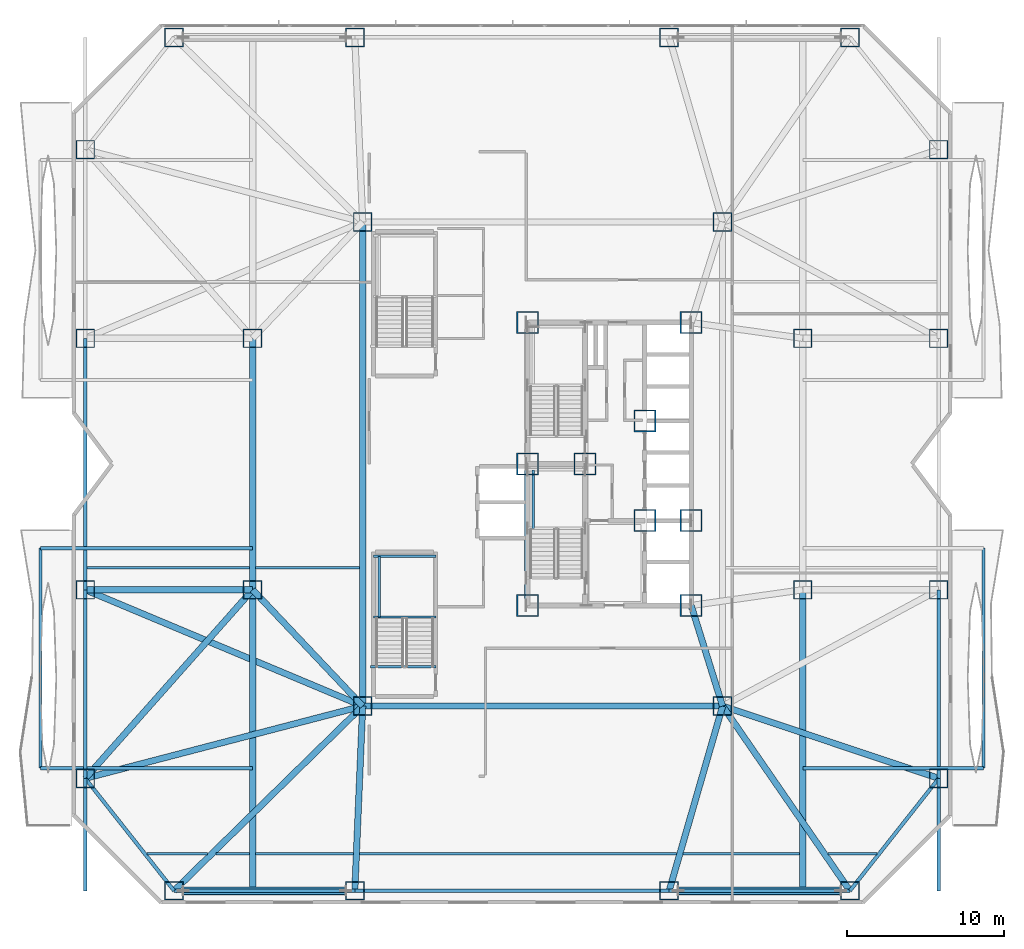
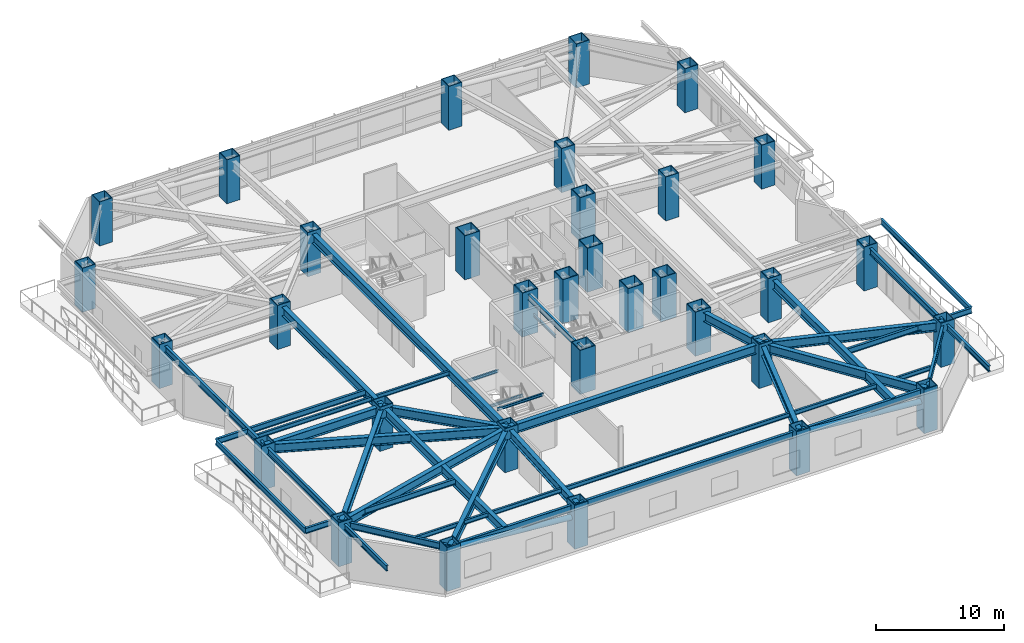
# One storey, part 1 of 25: 45 beams, 33 columns, 2 members.
"""IFC4 building model written with IfcOpenShell, lengths in metres."""

from ifc_helpers import new_model, si_unit, direction, frame, origin, origin_2d, place, context, subcontext, project, spatial, hollow_rectangle, hollow_circle, i_section, extrude, material, material_profile, profile_set, type_object, element, save


model = new_model("IFC4")

# Units and contexts
model_context = context("Model", 3, precision=1e-05, world=origin(), true_north=direction((0.0, 1.0)))
body_context = subcontext(model_context, "Body", "Model", "MODEL_VIEW")
ifc_project = project(units=[si_unit("LENGTHUNIT", "METRE"), si_unit("AREAUNIT", "SQUARE_METRE"), si_unit("VOLUMEUNIT", "CUBIC_METRE"), si_unit("PLANEANGLEUNIT", "RADIAN"), si_unit("MASSUNIT", "GRAM", prefix="KILO")], contexts=[model_context])

# Site, building, storey
site_placement = place(None, origin())
site = spatial("IfcSite", under=ifc_project, at=site_placement, CompositionType="ELEMENT")
building_placement = place(site_placement, origin())
building = spatial("IfcBuilding", under=site, at=building_placement, Name="Khamvora Tower", CompositionType="ELEMENT")
storey_placement = place(building_placement, frame((0.0, 0.0, 24.60009765625)))
storey = spatial("IfcBuildingStorey", under=building, at=storey_placement, Name="L05", CompositionType="ELEMENT", Elevation=24.60009765625)

# Columns
ifc_material_1 = material(Name="Steel S460", Category="steel")
ifc_material_profile_1 = material_profile(ifc_material_1, hollow_rectangle(XDim=1.199951171875, YDim=1.199951171875, WallThickness=0.06005859375, at=origin_2d()), Name="BOX1200x1200x60")
ifc_profile_set_1 = profile_set([ifc_material_profile_1], Name="Steel S460")
column_type_1 = type_object("IfcColumnType", Name="COL-BOX1200", PredefinedType="COLUMN", material=ifc_profile_set_1)
for number, where, z_axis, x_axis, name in (
    (1, (6.5, 0.85009765625, 0.0), (0.0, 0.0, 1.0), (1.0, 0.0, 0.0), "L05 structural frame column P01"),
    (2, (18.0, 0.85009765625, 0.0), (0.0, 0.0, 1.0), (1.0, 0.0, 0.0), "L05 structural frame column P02"),
    (3, (38.0, 0.85009765625, 0.0), (0.0, 0.0, 1.0), (1.0, 0.0, 0.0), "L05 structural frame column P03"),
    (4, (49.5, 0.85009765625, 0.0), (0.0, 0.0, 1.0), (1.0, 0.0, 0.0), "L05 structural frame column P04"),
    (5, (6.5, 55.14990234375, 0.0), (0.0, 0.0, 1.0), (1.0, 0.0, 0.0), "L05 structural frame column P05"),
    (6, (18.0, 55.14990234375, 0.0), (0.0, 0.0, 1.0), (1.0, 0.0, 0.0), "L05 structural frame column P06"),
    (7, (38.0, 55.14990234375, 0.0), (0.0, 0.0, 1.0), (1.0, 0.0, 0.0), "L05 structural frame column P07"),
    (8, (49.5, 55.14990234375, 0.0), (0.0, 0.0, 1.0), (1.0, 0.0, 0.0), "L05 structural frame column P08"),
    (9, (0.85009765625, 8.0, 0.0), (0.0, 0.0, 1.0), (1.0, 0.0, 0.0), "L05 structural frame column P09"),
    (10, (0.85009765625, 20.0, 0.0), (0.0, 0.0, 1.0), (1.0, 0.0, 0.0), "L05 structural frame column P10"),
    (11, (0.85009765625, 36.0, 0.0), (0.0, 0.0, 1.0), (1.0, 0.0, 0.0), "L05 structural frame column P11"),
    (12, (0.85009765625, 48.0, 0.0), (0.0, 0.0, 1.0), (1.0, 0.0, 0.0), "L05 structural frame column P12"),
    (13, (55.14990234375, 8.0, 0.0), (0.0, 0.0, 1.0), (1.0, 0.0, 0.0), "L05 structural frame column P13"),
    (14, (55.14990234375, 20.0, 0.0), (0.0, 0.0, 1.0), (1.0, 0.0, 0.0), "L05 structural frame column P14"),
    (15, (55.14990234375, 36.0, 0.0), (0.0, 0.0, 1.0), (1.0, 0.0, 0.0), "L05 structural frame column P15"),
    (16, (55.14990234375, 48.0, 0.0), (0.0, 0.0, 1.0), (1.0, 0.0, 0.0), "L05 structural frame column P16"),
    (17, (18.5, 12.60009765625, 0.0), (0.0, 0.0, 1.0), (1.0, 0.0, 0.0), "L05 structural frame column P17"),
    (18, (41.39990234375, 12.60009765625, 0.0), (0.0, 0.0, 1.0), (1.0, 0.0, 0.0), "L05 structural frame column P18"),
    (19, (18.5, 43.39990234375, 0.0), (0.0, 0.0, 1.0), (1.0, 0.0, 0.0), "L05 structural frame column P19"),
    (20, (41.39990234375, 43.39990234375, 0.0), (0.0, 0.0, 1.0), (1.0, 0.0, 0.0), "L05 structural frame column P20"),
    (21, (11.5, 20.0, 0.0), (0.0, 0.0, 1.0), (1.0, 0.0, 0.0), "L05 structural frame column P21"),
    (22, (11.5, 36.0, 0.0), (0.0, 0.0, 1.0), (1.0, 0.0, 0.0), "L05 structural frame column P22"),
    (23, (46.5, 20.0, 0.0), (0.0, 0.0, 1.0), (1.0, 0.0, 0.0), "L05 structural frame column P23"),
    (24, (46.5, 36.0, 0.0), (0.0, 0.0, 1.0), (1.0, 0.0, 0.0), "L05 structural frame column P24"),
):
    element("IfcColumn", number, at=place(storey_placement, frame(where, z_axis=z_axis, x_axis=x_axis)), inside=storey, type_object=column_type_1, Name=name, PredefinedType="COLUMN", context=body_context, shape_type="SweptSolid", body=[
        extrude(hollow_rectangle(XDim=1.199951171875, YDim=1.199951171875, WallThickness=0.06005859375, at=origin_2d()), origin(), (0.0, 0.0, 1.0), 4.199951171875),
    ])
ifc_material_profile_2 = material_profile(ifc_material_1, hollow_rectangle(XDim=1.39990234375, YDim=1.39990234375, WallThickness=0.070068359375, at=origin_2d()), Name="BOX1400x1400x70")
ifc_profile_set_2 = profile_set([ifc_material_profile_2], Name="Steel S460")
column_type_2 = type_object("IfcColumnType", Name="COL-BOX1400", PredefinedType="COLUMN", material=ifc_profile_set_2)
for number, where, z_axis, x_axis, name in (
    (25, (29.0, 19.0, 0.0), (0.0, 0.0, 1.0), (1.0, 0.0, 0.0), "L05 plumb core spine column SC1"),
    (26, (32.64990234375, 28.0, 0.0), (0.0, 0.0, 1.0), (1.0, 0.0, 0.0), "L05 plumb core spine column SC2"),
    (27, (39.39990234375, 19.0, 0.0), (0.0, 0.0, 1.0), (1.0, 0.0, 0.0), "L05 plumb core spine column SC3"),
    (28, (29.0, 28.0, 0.0), (0.0, 0.0, 1.0), (1.0, 0.0, 0.0), "L05 plumb core spine column SC4"),
    (29, (36.449951171875, 24.39990234375, 0.0), (0.0, 0.0, 1.0), (1.0, 0.0, 0.0), "L05 plumb core spine column SC5"),
    (30, (39.39990234375, 24.39990234375, 0.0), (0.0, 0.0, 1.0), (1.0, 0.0, 0.0), "L05 plumb core spine column SC6"),
    (31, (29.0, 37.0, 0.0), (0.0, 0.0, 1.0), (1.0, 0.0, 0.0), "L05 plumb core spine column SC7"),
    (32, (36.449951171875, 30.75, 0.0), (0.0, 0.0, 1.0), (1.0, 0.0, 0.0), "L05 plumb core spine column SC8"),
    (33, (39.39990234375, 37.0, 0.0), (0.0, 0.0, 1.0), (1.0, 0.0, 0.0), "L05 plumb core spine column SC9"),
):
    element("IfcColumn", number, at=place(storey_placement, frame(where, z_axis=z_axis, x_axis=x_axis)), inside=storey, type_object=column_type_2, Name=name, PredefinedType="COLUMN", context=body_context, shape_type="SweptSolid", body=[
        extrude(hollow_rectangle(XDim=1.39990234375, YDim=1.39990234375, WallThickness=0.070068359375, at=origin_2d()), origin(), (0.0, 0.0, 1.0), 4.199951171875),
    ])

# Beams
ifc_material_2 = material(Name="Steel S355", Category="steel")
ifc_material_profile_3 = material_profile(ifc_material_2, i_section(OverallWidth=0.177978515625, OverallDepth=0.406982421875, WebThickness=0.008056640625, FlangeThickness=0.012939453125, FilletRadius=0.010009765625, at=origin_2d()), Name="W410x60")
ifc_profile_set_3 = profile_set([ifc_material_profile_3], Name="Steel S355")
beam_type_1 = type_object("IfcBeamType", Name="BM-JS-W410x60", PredefinedType="JOIST", material=ifc_profile_set_3)
beam_1_placement = place(storey_placement, frame((4.784912109375, 3.199951171875, 3.716796875), z_axis=(1.0, 0.0, 0.0), x_axis=(0.0, 1.0, 0.0)))
element("IfcBeam", 34, at=beam_1_placement, inside=storey, type_object=beam_type_1, Name="L05 secondary floor joist 01", PredefinedType="JOIST", context=body_context, shape_type="SweptSolid", body=[
    extrude(i_section(OverallWidth=0.177978515625, OverallDepth=0.406982421875, WebThickness=0.008056640625, FlangeThickness=0.012939453125, FilletRadius=0.010009765625, at=origin_2d()), origin(), (0.0, 0.0, 1.0), 3.833984375),
])
beam_2_placement = place(storey_placement, frame((9.180908203125, 3.199951171875, 3.716796875), z_axis=(1.0, 0.0, 0.0), x_axis=(0.0, 1.0, 0.0)))
element("IfcBeam", 35, at=beam_2_placement, inside=storey, type_object=beam_type_1, Name="L05 secondary floor joist 02", PredefinedType="JOIST", context=body_context, shape_type="SweptSolid", body=[
    extrude(i_section(OverallWidth=0.177978515625, OverallDepth=0.406982421875, WebThickness=0.008056640625, FlangeThickness=0.012939453125, FilletRadius=0.010009765625, at=origin_2d()), origin(), (0.0, 0.0, 1.0), 2.1240234375),
])
beam_3_placement = place(storey_placement, frame((11.695068359375, 3.199951171875, 3.716796875), z_axis=(1.0, 0.0, 0.0), x_axis=(0.0, 1.0, 0.0)))
element("IfcBeam", 36, at=beam_3_placement, inside=storey, type_object=beam_type_1, Name="L05 secondary floor joist 03", PredefinedType="JOIST", context=body_context, shape_type="SweptSolid", body=[
    extrude(i_section(OverallWidth=0.177978515625, OverallDepth=0.406982421875, WebThickness=0.008056640625, FlangeThickness=0.012939453125, FilletRadius=0.010009765625, at=origin_2d()), origin(), (0.0, 0.0, 1.0), 6.2099609375),
])
beam_4_placement = place(storey_placement, frame((18.294921875, 3.199951171875, 3.716796875), z_axis=(1.0, 0.0, 0.0), x_axis=(0.0, 1.0, 0.0)))
element("IfcBeam", 37, at=beam_4_placement, inside=storey, type_object=beam_type_1, Name="L05 secondary floor joist 04", PredefinedType="JOIST", context=body_context, shape_type="SweptSolid", body=[
    extrude(i_section(OverallWidth=0.177978515625, OverallDepth=0.406982421875, WebThickness=0.008056640625, FlangeThickness=0.012939453125, FilletRadius=0.010009765625, at=origin_2d()), origin(), (0.0, 0.0, 1.0), 20.18212890625),
])
beam_5_placement = place(storey_placement, frame((38.883056640625, 3.199951171875, 3.716796875), z_axis=(1.0, 0.0, 0.0), x_axis=(0.0, 1.0, 0.0)))
element("IfcBeam", 38, at=beam_5_placement, inside=storey, type_object=beam_type_1, Name="L05 secondary floor joist 05", PredefinedType="JOIST", context=body_context, shape_type="SweptSolid", body=[
    extrude(i_section(OverallWidth=0.177978515625, OverallDepth=0.406982421875, WebThickness=0.008056640625, FlangeThickness=0.012939453125, FilletRadius=0.010009765625, at=origin_2d()), origin(), (0.0, 0.0, 1.0), 7.421875),
])
beam_6_placement = place(storey_placement, frame((48.117919921875, 3.199951171875, 3.716796875), z_axis=(1.0, 0.0, 0.0), x_axis=(0.0, 1.0, 0.0)))
element("IfcBeam", 39, at=beam_6_placement, inside=storey, type_object=beam_type_1, Name="L05 secondary floor joist 06", PredefinedType="JOIST", context=body_context, shape_type="SweptSolid", body=[
    extrude(i_section(OverallWidth=0.177978515625, OverallDepth=0.406982421875, WebThickness=0.008056640625, FlangeThickness=0.012939453125, FilletRadius=0.010009765625, at=origin_2d()), origin(), (0.0, 0.0, 1.0), 3.09716796875),
])
beam_7_placement = place(storey_placement, frame((0.9599609375, 21.39990234375, 3.716796875), z_axis=(1.0, 0.0, 0.0), x_axis=(0.0, 1.0, 0.0)))
element("IfcBeam", 40, at=beam_7_placement, inside=storey, type_object=beam_type_1, Name="L05 secondary floor joist 07", PredefinedType="JOIST", context=body_context, shape_type="SweptSolid", body=[
    extrude(i_section(OverallWidth=0.177978515625, OverallDepth=0.406982421875, WebThickness=0.008056640625, FlangeThickness=0.012939453125, FilletRadius=0.010009765625, at=origin_2d()), origin(), (0.0, 0.0, 1.0), 10.344970703125),
])
beam_8_placement = place(storey_placement, frame((11.695068359375, 21.39990234375, 3.716796875), z_axis=(1.0, 0.0, 0.0), x_axis=(0.0, 1.0, 0.0)))
element("IfcBeam", 41, at=beam_8_placement, inside=storey, type_object=beam_type_1, Name="L05 secondary floor joist 08", PredefinedType="JOIST", context=body_context, shape_type="SweptSolid", body=[
    extrude(i_section(OverallWidth=0.177978515625, OverallDepth=0.406982421875, WebThickness=0.008056640625, FlangeThickness=0.012939453125, FilletRadius=0.010009765625, at=origin_2d()), origin(), (0.0, 0.0, 1.0), 6.60986328125),
])
ifc_material_profile_4 = material_profile(ifc_material_2, i_section(OverallWidth=0.14697265625, OverallDepth=0.261962890625, WebThickness=0.007080078125, FlangeThickness=0.010986328125, FilletRadius=0.008056640625, at=origin_2d()), Name="W250x39")
ifc_profile_set_4 = profile_set([ifc_material_profile_4], Name="Steel S355")
beam_type_2 = type_object("IfcBeamType", Name="BM-LN-W250x39", PredefinedType="LINTEL", material=ifc_profile_set_4)
beam_9_placement = place(storey_placement, frame((29.35009765625, 23.9150390625, 1.768798828125), z_axis=(0.0, 1.0, 0.0), x_axis=(-1.0, 0.0, 0.0)))
element("IfcBeam", 42, at=beam_9_placement, inside=storey, type_object=beam_type_2, Name="L05 ST-01 half-landing edge stringer 1", PredefinedType="LINTEL", context=body_context, shape_type="SweptSolid", body=[
    extrude(i_section(OverallWidth=0.14697265625, OverallDepth=0.261962890625, WebThickness=0.007080078125, FlangeThickness=0.010986328125, FilletRadius=0.008056640625, at=origin_2d()), origin(), (0.0, 0.0, 1.0), 3.71484375),
])
for number, where, z_axis, x_axis, name in (
    (43, (19.199951171875, 18.264892578125, 1.768798828125), (1.0, 0.0, 0.0), (0.0, 1.0, 0.0), "L05 ST-03 half-landing support beam 1.1"),
    (44, (19.199951171875, 22.1298828125, 1.768798828125), (1.0, 0.0, 0.0), (0.0, 1.0, 0.0), "L05 ST-03 half-landing support beam 1.2"),
):
    element("IfcBeam", number, at=place(storey_placement, frame(where, z_axis=z_axis, x_axis=x_axis)), inside=storey, type_object=beam_type_2, Name=name, PredefinedType="LINTEL", context=body_context, shape_type="SweptSolid", body=[
        extrude(i_section(OverallWidth=0.14697265625, OverallDepth=0.261962890625, WebThickness=0.007080078125, FlangeThickness=0.010986328125, FilletRadius=0.008056640625, at=origin_2d()), origin(), (0.0, 0.0, 1.0), 3.949951171875),
    ])
beam_10_placement = place(storey_placement, frame((19.550048828125, 18.264892578125, 1.768798828125), z_axis=(0.0, 1.0, 0.0), x_axis=(-1.0, 0.0, 0.0)))
element("IfcBeam", 45, at=beam_10_placement, inside=storey, type_object=beam_type_2, Name="L05 ST-03 half-landing edge stringer 1", PredefinedType="LINTEL", context=body_context, shape_type="SweptSolid", body=[
    extrude(i_section(OverallWidth=0.14697265625, OverallDepth=0.261962890625, WebThickness=0.007080078125, FlangeThickness=0.010986328125, FilletRadius=0.008056640625, at=origin_2d()), origin(), (0.0, 0.0, 1.0), 3.864990234375),
])
beam_11_placement = place(storey_placement, frame((19.0, 15.10009765625, 3.7939453125), z_axis=(1.0, 0.0, 0.0), x_axis=(0.0, 1.0, 0.0)))
element("IfcBeam", 46, at=beam_11_placement, inside=storey, type_object=beam_type_2, Name="L05 podium stair ST03 landing trimmer beam", PredefinedType="LINTEL", context=body_context, shape_type="SweptSolid", body=[
    extrude(i_section(OverallWidth=0.14697265625, OverallDepth=0.261962890625, WebThickness=0.007080078125, FlangeThickness=0.010986328125, FilletRadius=0.008056640625, at=origin_2d()), origin(), (0.0, 0.0, 1.0), 4.14990234375),
])
ifc_material_profile_5 = material_profile(ifc_material_2, i_section(OverallWidth=0.39990234375, OverallDepth=0.85498046875, WebThickness=0.01806640625, FlangeThickness=0.029052734375, FilletRadius=0.01806640625, at=origin_2d()), Name="W840x299")
ifc_profile_set_5 = profile_set([ifc_material_profile_5], Name="Steel S355")
beam_type_3 = type_object("IfcBeamType", Name="BM-PG-W840x299", PredefinedType="BEAM", material=ifc_profile_set_5)
beam_12_placement = place(storey_placement, frame((18.5, 12.60009765625, 3.492919921875), z_axis=(0.0, 1.0, 0.0), x_axis=(-1.0, 0.0, 0.0)))
element("IfcBeam", 47, at=beam_12_placement, inside=storey, type_object=beam_type_3, Name="L05 longitudinal frame girder P17-P19", PredefinedType="BEAM", context=body_context, shape_type="SweptSolid", body=[
    extrude(i_section(OverallWidth=0.39990234375, OverallDepth=0.85498046875, WebThickness=0.01806640625, FlangeThickness=0.029052734375, FilletRadius=0.01806640625, at=origin_2d()), origin(), (0.0, 0.0, 1.0), 30.7998046875),
])
beam_13_placement = place(storey_placement, frame((18.5, 12.60009765625, 3.492919921875), z_axis=(1.0, 0.0, 0.0), x_axis=(0.0, 1.0, 0.0)))
element("IfcBeam", 48, at=beam_13_placement, inside=storey, type_object=beam_type_3, Name="L05 longitudinal frame girder P17-P18", PredefinedType="BEAM", context=body_context, shape_type="SweptSolid", body=[
    extrude(i_section(OverallWidth=0.39990234375, OverallDepth=0.85498046875, WebThickness=0.01806640625, FlangeThickness=0.029052734375, FilletRadius=0.01806640625, at=origin_2d()), origin(), (0.0, 0.0, 1.0), 22.89990234375),
])
beam_14_placement = place(storey_placement, frame((11.5, 20.0, 3.492919921875), z_axis=(0.0, 1.0, 0.0), x_axis=(-1.0, 0.0, 0.0)))
element("IfcBeam", 49, at=beam_14_placement, inside=storey, type_object=beam_type_3, Name="L05 longitudinal frame girder P21-P22", PredefinedType="BEAM", context=body_context, shape_type="SweptSolid", body=[
    extrude(i_section(OverallWidth=0.39990234375, OverallDepth=0.85498046875, WebThickness=0.01806640625, FlangeThickness=0.029052734375, FilletRadius=0.01806640625, at=origin_2d()), origin(), (0.0, 0.0, 1.0), 16.0),
])
beam_15_placement = place(storey_placement, frame((18.5, 12.60009765625, 3.492919921875), z_axis=(-0.714510426493, -0.699624792608, 0.0), x_axis=(0.699624792608, -0.714510426493, 0.0)))
element("IfcBeam", 50, at=beam_15_placement, inside=storey, type_object=beam_type_3, Name="L05 primary floor girder P01", PredefinedType="BEAM", context=body_context, shape_type="SweptSolid", body=[
    extrude(i_section(OverallWidth=0.39990234375, OverallDepth=0.85498046875, WebThickness=0.01806640625, FlangeThickness=0.029052734375, FilletRadius=0.01806640625, at=origin_2d()), origin(), (0.0, 0.0, 1.0), 16.794677734375),
])
beam_16_placement = place(storey_placement, frame((18.5, 12.60009765625, 3.492919921875), z_axis=(-0.042514716625, -0.999095840683, 0.0), x_axis=(0.999095840683, -0.042514716625, 0.0)))
element("IfcBeam", 51, at=beam_16_placement, inside=storey, type_object=beam_type_3, Name="L05 primary floor girder P02", PredefinedType="BEAM", context=body_context, shape_type="SweptSolid", body=[
    extrude(i_section(OverallWidth=0.39990234375, OverallDepth=0.85498046875, WebThickness=0.01806640625, FlangeThickness=0.029052734375, FilletRadius=0.01806640625, at=origin_2d()), origin(), (0.0, 0.0, 1.0), 11.7607421875),
])
beam_17_placement = place(storey_placement, frame((41.39990234375, 12.60009765625, 3.492919921875), z_axis=(-0.277951455854, -0.960595121885, 0.0), x_axis=(0.960595121885, -0.277951455854, 0.0)))
element("IfcBeam", 52, at=beam_17_placement, inside=storey, type_object=beam_type_3, Name="L05 primary floor girder P03", PredefinedType="BEAM", context=body_context, shape_type="SweptSolid", body=[
    extrude(i_section(OverallWidth=0.39990234375, OverallDepth=0.85498046875, WebThickness=0.01806640625, FlangeThickness=0.029052734375, FilletRadius=0.01806640625, at=origin_2d()), origin(), (0.0, 0.0, 1.0), 12.23193359375),
])
beam_18_placement = place(storey_placement, frame((41.39990234375, 12.60009765625, 3.492919921875), z_axis=(0.567573841069, -0.823322497527, 0.0), x_axis=(0.823322497527, 0.567573841069, 0.0)))
element("IfcBeam", 53, at=beam_18_placement, inside=storey, type_object=beam_type_3, Name="L05 primary floor girder P04", PredefinedType="BEAM", context=body_context, shape_type="SweptSolid", body=[
    extrude(i_section(OverallWidth=0.39990234375, OverallDepth=0.85498046875, WebThickness=0.01806640625, FlangeThickness=0.029052734375, FilletRadius=0.01806640625, at=origin_2d()), origin(), (0.0, 0.0, 1.0), 14.271484375),
])
beam_19_placement = place(storey_placement, frame((11.5, 20.0, 3.492919921875), z_axis=(-0.6637799472, -0.747927925468, 0.0), x_axis=(0.747927925468, -0.6637799472, 0.0)))
element("IfcBeam", 54, at=beam_19_placement, inside=storey, type_object=beam_type_3, Name="L05 primary floor girder P09", PredefinedType="BEAM", context=body_context, shape_type="SweptSolid", body=[
    extrude(i_section(OverallWidth=0.39990234375, OverallDepth=0.85498046875, WebThickness=0.01806640625, FlangeThickness=0.029052734375, FilletRadius=0.01806640625, at=origin_2d()), origin(), (0.0, 0.0, 1.0), 16.04443359375),
])
beam_20_placement = place(storey_placement, frame((11.5, 20.0, 3.492919921875), z_axis=(-1.0, 0.0, 0.0), x_axis=(0.0, -1.0, 0.0)))
element("IfcBeam", 55, at=beam_20_placement, inside=storey, type_object=beam_type_3, Name="L05 primary floor girder P10", PredefinedType="BEAM", context=body_context, shape_type="SweptSolid", body=[
    extrude(i_section(OverallWidth=0.39990234375, OverallDepth=0.85498046875, WebThickness=0.01806640625, FlangeThickness=0.029052734375, FilletRadius=0.01806640625, at=origin_2d()), origin(), (0.0, 0.0, 1.0), 10.64990234375),
])
beam_21_placement = place(storey_placement, frame((41.39990234375, 12.60009765625, 3.492919921875), z_axis=(0.948335857324, -0.31726818579, 0.0), x_axis=(0.31726818579, 0.948335857324, 0.0)))
element("IfcBeam", 56, at=beam_21_placement, inside=storey, type_object=beam_type_3, Name="L05 primary floor girder P13", PredefinedType="BEAM", context=body_context, shape_type="SweptSolid", body=[
    extrude(i_section(OverallWidth=0.39990234375, OverallDepth=0.85498046875, WebThickness=0.01806640625, FlangeThickness=0.029052734375, FilletRadius=0.01806640625, at=origin_2d()), origin(), (0.0, 0.0, 1.0), 14.4990234375),
])
beam_22_placement = place(storey_placement, frame((39.39990234375, 19.0, 3.492919921875), z_axis=(0.298279139585, -0.95447868226, 0.0), x_axis=(0.95447868226, 0.298279139585, 0.0)))
element("IfcBeam", 57, at=beam_22_placement, inside=storey, type_object=beam_type_3, Name="L05 primary floor girder P18", PredefinedType="BEAM", context=body_context, shape_type="SweptSolid", body=[
    extrude(i_section(OverallWidth=0.39990234375, OverallDepth=0.85498046875, WebThickness=0.01806640625, FlangeThickness=0.029052734375, FilletRadius=0.01806640625, at=origin_2d()), origin(), (0.0, 0.0, 1.0), 6.705078125),
])
beam_23_placement = place(storey_placement, frame((18.5, 12.60009765625, 3.492919921875), z_axis=(-0.687204640029, 0.726463889483, 0.0), x_axis=(-0.726463889483, -0.687204640029, 0.0)))
element("IfcBeam", 58, at=beam_23_placement, inside=storey, type_object=beam_type_3, Name="L05 primary floor girder P21", PredefinedType="BEAM", context=body_context, shape_type="SweptSolid", body=[
    extrude(i_section(OverallWidth=0.39990234375, OverallDepth=0.85498046875, WebThickness=0.01806640625, FlangeThickness=0.029052734375, FilletRadius=0.01806640625, at=origin_2d()), origin(), (0.0, 0.0, 1.0), 10.186279296875),
])
beam_24_placement = place(storey_placement, frame((46.5, 0.85009765625, 3.492919921875), z_axis=(0.0, 1.0, 0.0), x_axis=(-1.0, 0.0, 0.0)))
element("IfcBeam", 59, at=beam_24_placement, inside=storey, type_object=beam_type_3, Name="L05 gallery collector girder E.1", PredefinedType="BEAM", context=body_context, shape_type="SweptSolid", body=[
    extrude(i_section(OverallWidth=0.39990234375, OverallDepth=0.85498046875, WebThickness=0.01806640625, FlangeThickness=0.029052734375, FilletRadius=0.01806640625, at=origin_2d()), origin(), (0.0, 0.0, 1.0), 19.14990234375),
])
beam_25_placement = place(storey_placement, frame((0.85009765625, 8.0, 3.492919921875), z_axis=(0.967673821538, 0.252205025942, 0.0), x_axis=(-0.252205025942, 0.967673821538, 0.0)))
element("IfcBeam", 60, at=beam_25_placement, inside=storey, type_object=beam_type_3, Name="L05 west plinth tie girder 1", PredefinedType="BEAM", context=body_context, shape_type="SweptSolid", body=[
    extrude(i_section(OverallWidth=0.39990234375, OverallDepth=0.85498046875, WebThickness=0.01806640625, FlangeThickness=0.029052734375, FilletRadius=0.01806640625, at=origin_2d()), origin(), (0.0, 0.0, 1.0), 18.239501953125),
])
beam_26_placement = place(storey_placement, frame((0.85009765625, 20.0, 3.492919921875), z_axis=(0.922225491396, -0.386652483529, 0.0), x_axis=(0.386652483529, 0.922225491396, 0.0)))
element("IfcBeam", 61, at=beam_26_placement, inside=storey, type_object=beam_type_3, Name="L05 west plinth tie girder 2", PredefinedType="BEAM", context=body_context, shape_type="SweptSolid", body=[
    extrude(i_section(OverallWidth=0.39990234375, OverallDepth=0.85498046875, WebThickness=0.01806640625, FlangeThickness=0.029052734375, FilletRadius=0.01806640625, at=origin_2d()), origin(), (0.0, 0.0, 1.0), 19.138427734375),
])
beam_27_placement = place(storey_placement, frame((11.5, 0.85009765625, 3.492919921875), z_axis=(0.0, 1.0, 0.0), x_axis=(-1.0, 0.0, 0.0)))
element("IfcBeam", 62, at=beam_27_placement, inside=storey, type_object=beam_type_3, Name="L05 gallery collector girder W.1", PredefinedType="BEAM", context=body_context, shape_type="SweptSolid", body=[
    extrude(i_section(OverallWidth=0.39990234375, OverallDepth=0.85498046875, WebThickness=0.01806640625, FlangeThickness=0.029052734375, FilletRadius=0.01806640625, at=origin_2d()), origin(), (0.0, 0.0, 1.0), 19.14990234375),
])
ifc_material_profile_6 = material_profile(ifc_material_2, i_section(OverallWidth=0.2119140625, OverallDepth=0.5439453125, WebThickness=0.012939453125, FlangeThickness=0.02099609375, FilletRadius=0.013916015625, at=origin_2d()), Name="W530x123")
ifc_profile_set_6 = profile_set([ifc_material_profile_6], Name="Steel S355")
beam_type_4 = type_object("IfcBeamType", Name="BM-SP-W530x123", PredefinedType="SPANDREL", material=ifc_profile_set_6)
for number, where, z_axis, x_axis, name in (
    (63, (55.14990234375, 0.85009765625, 3.64794921875), (0.0, 1.0, 0.0), (-1.0, 0.0, 0.0), "L05 E perimeter edge spandrel 1"),
    (64, (0.85009765625, 0.85009765625, 3.64794921875), (0.0, 1.0, 0.0), (-1.0, 0.0, 0.0), "L05 W perimeter edge spandrel 1"),
):
    element("IfcBeam", number, at=place(storey_placement, frame(where, z_axis=z_axis, x_axis=x_axis)), inside=storey, type_object=beam_type_4, Name=name, PredefinedType="SPANDREL", context=body_context, shape_type="SweptSolid", body=[
        extrude(i_section(OverallWidth=0.2119140625, OverallDepth=0.5439453125, WebThickness=0.012939453125, FlangeThickness=0.02099609375, FilletRadius=0.013916015625, at=origin_2d()), origin(), (0.0, 0.0, 1.0), 7.14990234375),
    ])
ifc_material_profile_7 = material_profile(ifc_material_2, i_section(OverallWidth=0.208984375, OverallDepth=0.532958984375, WebThickness=0.010009765625, FlangeThickness=0.01611328125, FilletRadius=0.013916015625, at=origin_2d()), Name="W530x92")
ifc_profile_set_7 = profile_set([ifc_material_profile_7], Name="Steel S355")
beam_type_5 = type_object("IfcBeamType", Name="BM-SP-W530x92", PredefinedType="SPANDREL", material=ifc_profile_set_7)
beam_28_placement = place(storey_placement, frame((28.89990234375, 19.0, 3.65283203125), z_axis=(0.0, 1.0, 0.0), x_axis=(-1.0, 0.0, 0.0)))
element("IfcBeam", 65, at=beam_28_placement, inside=storey, type_object=beam_type_5, Name="L05 core spine girder WS", PredefinedType="SPANDREL", context=body_context, shape_type="SweptSolid", body=[
    extrude(i_section(OverallWidth=0.208984375, OverallDepth=0.532958984375, WebThickness=0.010009765625, FlangeThickness=0.01611328125, FilletRadius=0.013916015625, at=origin_2d()), origin(), (0.0, 0.0, 1.0), 9.0),
])
beam_29_placement = place(storey_placement, frame((46.5, 8.64990234375, 3.512939453125), z_axis=(1.0, 0.0, 0.0), x_axis=(0.0, 1.0, 0.0)))
element("IfcBeam", 66, at=beam_29_placement, inside=storey, type_object=beam_type_5, Name="L05 continuous gallery cantilever girder L06-EL1-1", PredefinedType="SPANDREL", context=body_context, shape_type="SweptSolid", body=[
    extrude(i_section(OverallWidth=0.208984375, OverallDepth=0.532958984375, WebThickness=0.010009765625, FlangeThickness=0.01611328125, FilletRadius=0.013916015625, at=origin_2d()), origin(), (0.0, 0.0, 1.0), 11.5),
])
beam_30_placement = place(storey_placement, frame((58.0, 8.64990234375, 3.512939453125), z_axis=(0.0, 1.0, 0.0), x_axis=(-1.0, 0.0, 0.0)))
element("IfcBeam", 67, at=beam_30_placement, inside=storey, type_object=beam_type_5, Name="L05 external gallery edge header beam L06-EL1", PredefinedType="SPANDREL", context=body_context, shape_type="SweptSolid", body=[
    extrude(i_section(OverallWidth=0.208984375, OverallDepth=0.532958984375, WebThickness=0.010009765625, FlangeThickness=0.01611328125, FilletRadius=0.013916015625, at=origin_2d()), origin(), (0.0, 0.0, 1.0), 14.0),
])
for number, where, z_axis, x_axis, name in (
    (68, (11.5, 8.64990234375, 3.512939453125), (-1.0, 0.0, 0.0), (0.0, -1.0, 0.0), "L05 continuous gallery cantilever girder L06-WL1-1"),
    (69, (11.5, 22.64990234375, 3.512939453125), (-1.0, 0.0, 0.0), (0.0, -1.0, 0.0), "L05 continuous gallery cantilever girder L06-WL1-2"),
):
    element("IfcBeam", number, at=place(storey_placement, frame(where, z_axis=z_axis, x_axis=x_axis)), inside=storey, type_object=beam_type_5, Name=name, PredefinedType="SPANDREL", context=body_context, shape_type="SweptSolid", body=[
        extrude(i_section(OverallWidth=0.208984375, OverallDepth=0.532958984375, WebThickness=0.010009765625, FlangeThickness=0.01611328125, FilletRadius=0.013916015625, at=origin_2d()), origin(), (0.0, 0.0, 1.0), 13.5),
    ])
beam_31_placement = place(storey_placement, frame((-2.0, 8.64990234375, 3.512939453125), z_axis=(0.0, 1.0, 0.0), x_axis=(-1.0, 0.0, 0.0)))
element("IfcBeam", 70, at=beam_31_placement, inside=storey, type_object=beam_type_5, Name="L05 external gallery edge header beam L06-WL1", PredefinedType="SPANDREL", context=body_context, shape_type="SweptSolid", body=[
    extrude(i_section(OverallWidth=0.208984375, OverallDepth=0.532958984375, WebThickness=0.010009765625, FlangeThickness=0.01611328125, FilletRadius=0.013916015625, at=origin_2d()), origin(), (0.0, 0.0, 1.0), 14.0),
])
ifc_material_profile_8 = material_profile(ifc_material_2, i_section(OverallWidth=0.22998046875, OverallDepth=0.616943359375, WebThickness=0.012939453125, FlangeThickness=0.02197265625, FilletRadius=0.013916015625, at=origin_2d()), Name="W610x140")
ifc_profile_set_8 = profile_set([ifc_material_profile_8], Name="Steel S355")
beam_type_6 = type_object("IfcBeamType", Name="BM-SP-W610x140", PredefinedType="SPANDREL", material=ifc_profile_set_8)
beam_32_placement = place(storey_placement, frame((0.85009765625, 20.0, 3.61181640625), z_axis=(0.0, -1.0, 0.0), x_axis=(1.0, 0.0, 0.0)))
element("IfcBeam", 71, at=beam_32_placement, inside=storey, type_object=beam_type_6, Name="L05 perimeter spandrel beam P10-P09", PredefinedType="SPANDREL", context=body_context, shape_type="SweptSolid", body=[
    extrude(i_section(OverallWidth=0.22998046875, OverallDepth=0.616943359375, WebThickness=0.012939453125, FlangeThickness=0.02197265625, FilletRadius=0.013916015625, at=origin_2d()), origin(), (0.0, 0.0, 1.0), 12.0),
])
beam_33_placement = place(storey_placement, frame((0.85009765625, 8.0, 3.61181640625), z_axis=(0.619998635429, -0.784602888133, 0.0), x_axis=(0.784602888133, 0.619998635429, 0.0)))
element("IfcBeam", 72, at=beam_33_placement, inside=storey, type_object=beam_type_6, Name="L05 perimeter spandrel beam P09-P01", PredefinedType="SPANDREL", context=body_context, shape_type="SweptSolid", body=[
    extrude(i_section(OverallWidth=0.22998046875, OverallDepth=0.616943359375, WebThickness=0.012939453125, FlangeThickness=0.02197265625, FilletRadius=0.013916015625, at=origin_2d()), origin(), (0.0, 0.0, 1.0), 9.11279296875),
])
beam_34_placement = place(storey_placement, frame((6.5, 0.85009765625, 3.61181640625), z_axis=(1.0, 0.0, 0.0), x_axis=(0.0, 1.0, 0.0)))
element("IfcBeam", 73, at=beam_34_placement, inside=storey, type_object=beam_type_6, Name="L05 perimeter spandrel beam P01-P02", PredefinedType="SPANDREL", context=body_context, shape_type="SweptSolid", body=[
    extrude(i_section(OverallWidth=0.22998046875, OverallDepth=0.616943359375, WebThickness=0.012939453125, FlangeThickness=0.02197265625, FilletRadius=0.013916015625, at=origin_2d()), origin(), (0.0, 0.0, 1.0), 11.5),
])
beam_35_placement = place(storey_placement, frame((18.0, 0.85009765625, 3.61181640625), z_axis=(1.0, 0.0, 0.0), x_axis=(0.0, 1.0, 0.0)))
element("IfcBeam", 74, at=beam_35_placement, inside=storey, type_object=beam_type_6, Name="L05 perimeter spandrel beam P02-P03", PredefinedType="SPANDREL", context=body_context, shape_type="SweptSolid", body=[
    extrude(i_section(OverallWidth=0.22998046875, OverallDepth=0.616943359375, WebThickness=0.012939453125, FlangeThickness=0.02197265625, FilletRadius=0.013916015625, at=origin_2d()), origin(), (0.0, 0.0, 1.0), 20.0),
])
beam_36_placement = place(storey_placement, frame((38.0, 0.85009765625, 3.61181640625), z_axis=(1.0, 0.0, 0.0), x_axis=(0.0, 1.0, 0.0)))
element("IfcBeam", 75, at=beam_36_placement, inside=storey, type_object=beam_type_6, Name="L05 perimeter spandrel beam P03-P04", PredefinedType="SPANDREL", context=body_context, shape_type="SweptSolid", body=[
    extrude(i_section(OverallWidth=0.22998046875, OverallDepth=0.616943359375, WebThickness=0.012939453125, FlangeThickness=0.02197265625, FilletRadius=0.013916015625, at=origin_2d()), origin(), (0.0, 0.0, 1.0), 11.5),
])
beam_37_placement = place(storey_placement, frame((49.5, 0.85009765625, 3.61181640625), z_axis=(0.619998635429, 0.784602888133, 0.0), x_axis=(-0.784602888133, 0.619998635429, 0.0)))
element("IfcBeam", 76, at=beam_37_placement, inside=storey, type_object=beam_type_6, Name="L05 perimeter spandrel beam P04-P13", PredefinedType="SPANDREL", context=body_context, shape_type="SweptSolid", body=[
    extrude(i_section(OverallWidth=0.22998046875, OverallDepth=0.616943359375, WebThickness=0.012939453125, FlangeThickness=0.02197265625, FilletRadius=0.013916015625, at=origin_2d()), origin(), (0.0, 0.0, 1.0), 9.11279296875),
])
beam_38_placement = place(storey_placement, frame((55.14990234375, 8.0, 3.61181640625), z_axis=(0.0, 1.0, 0.0), x_axis=(-1.0, 0.0, 0.0)))
element("IfcBeam", 77, at=beam_38_placement, inside=storey, type_object=beam_type_6, Name="L05 perimeter spandrel beam P13-P14", PredefinedType="SPANDREL", context=body_context, shape_type="SweptSolid", body=[
    extrude(i_section(OverallWidth=0.22998046875, OverallDepth=0.616943359375, WebThickness=0.012939453125, FlangeThickness=0.02197265625, FilletRadius=0.013916015625, at=origin_2d()), origin(), (0.0, 0.0, 1.0), 12.0),
])
beam_39_placement = place(storey_placement, frame((0.85009765625, 36.0, 3.61181640625), z_axis=(0.0, -1.0, 0.0), x_axis=(1.0, 0.0, 0.0)))
element("IfcBeam", 78, at=beam_39_placement, inside=storey, type_object=beam_type_6, Name="L05 perimeter spandrel beam P11-P10", PredefinedType="SPANDREL", context=body_context, shape_type="SweptSolid", body=[
    extrude(i_section(OverallWidth=0.22998046875, OverallDepth=0.616943359375, WebThickness=0.012939453125, FlangeThickness=0.02197265625, FilletRadius=0.013916015625, at=origin_2d()), origin(), (0.0, 0.0, 1.0), 16.0),
])

# Members
ifc_material_profile_9 = material_profile(ifc_material_1, hollow_circle(Radius=0.25390625, WallThickness=0.02490234375, at=origin_2d()), Name="CHS508x25")
ifc_profile_set_9 = profile_set([ifc_material_profile_9], Name="Steel S460")
member_type = type_object("IfcMemberType", Name="MEM-BR-CHS508", PredefinedType="BRACE", material=ifc_profile_set_9)
for number, where, z_axis, x_axis, name in (
    (79, (17.422119140625, 0.85009765625, 2.726806640625), (-0.996733604617, 0.0, 0.080759652222), (0.0, -1.0, 0.0), "L05 perimeter wind brace 1"),
    (80, (48.922119140625, 0.85009765625, 2.726806640625), (-0.996733604617, 0.0, 0.080759652222), (0.0, -1.0, 0.0), "L05 perimeter wind brace 2"),
):
    element("IfcMember", number, at=place(storey_placement, frame(where, z_axis=z_axis, x_axis=x_axis)), inside=storey, type_object=member_type, Name=name, PredefinedType="BRACE", context=body_context, shape_type="SweptSolid", body=[
        extrude(hollow_circle(Radius=0.25390625, WallThickness=0.02490234375, at=origin_2d()), origin(), (0.0, 0.0, 1.0), 10.378173828125),
    ])

save(model, "model.ifc")
